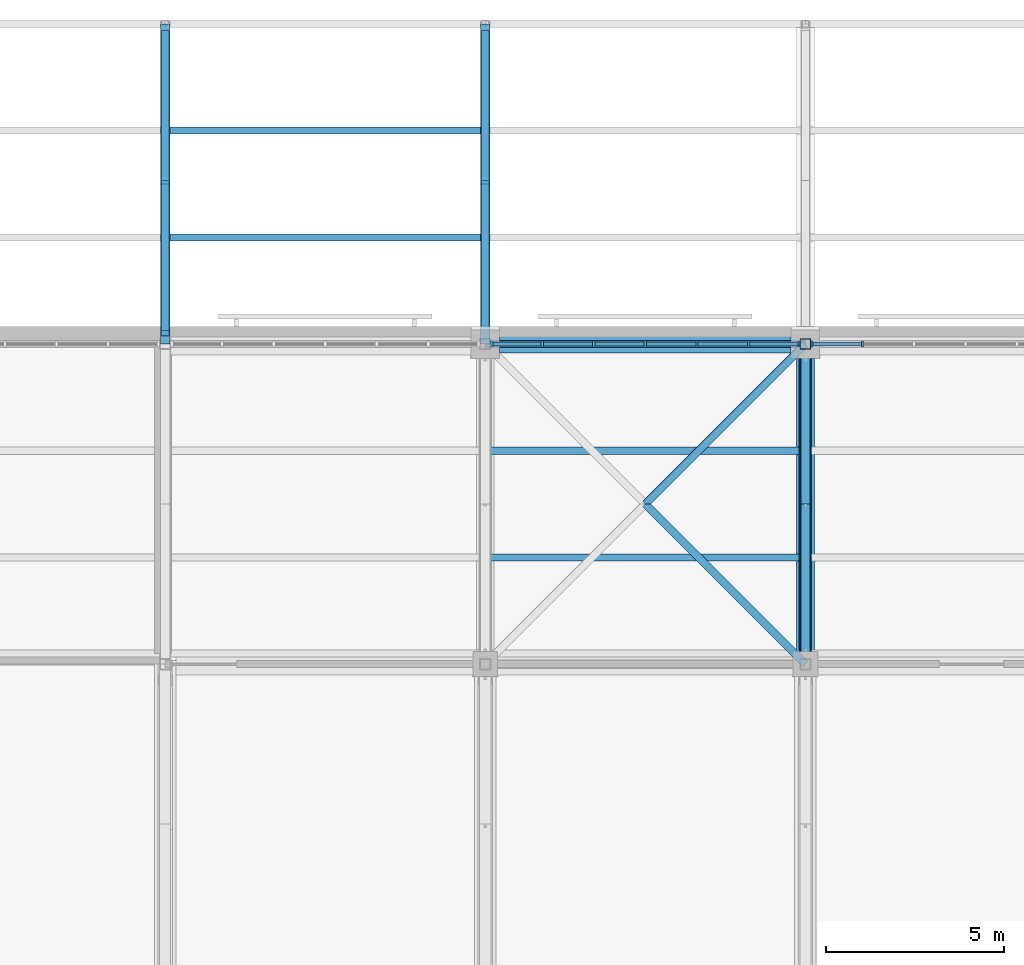
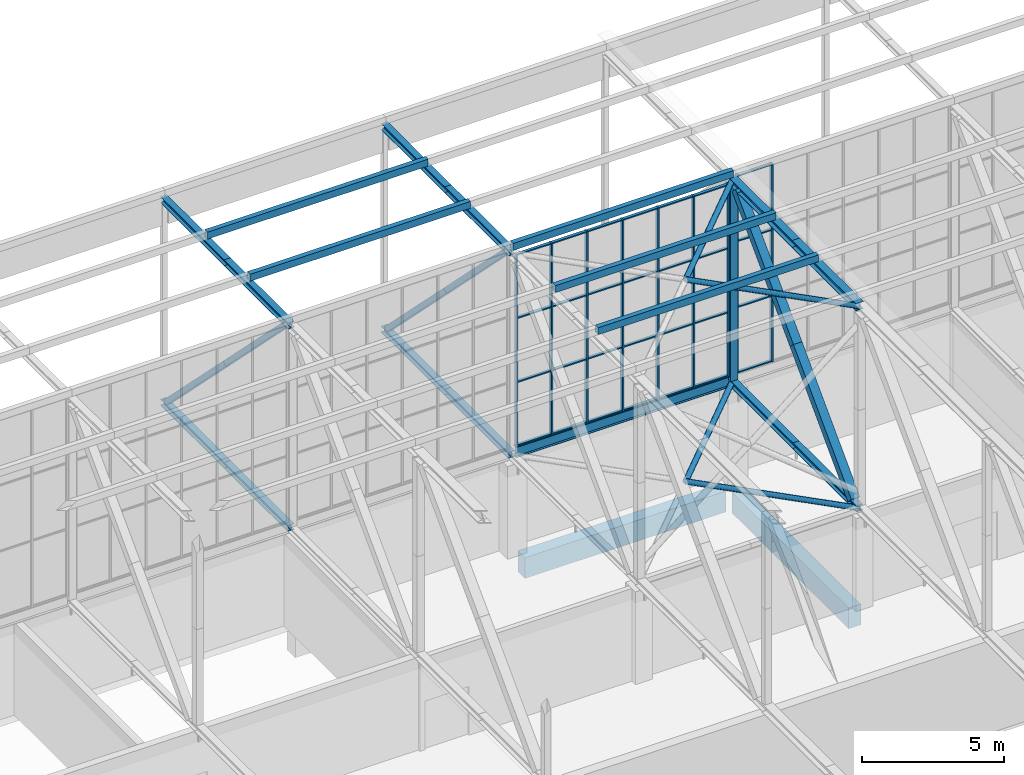
# One storey, part 123 of 646: 66 members, 3 beams, 2 elements without a shape of their own.
"""IFC4 building model written with IfcOpenShell, lengths in metres."""

import ifcopenshell
import ifcopenshell.guid

model = None  # the IFC model being written
_history = None  # IfcOwnerHistory: only IFC2X3 demands one
_inside = {}  # id of a spatial element -> (the spatial element, [elements in it])
_under = {}  # id of a project, library or spatial element -> (it, [spatial elements below it])
_declared = {}  # id of a project -> (the project, [libraries it declares])
_typed = {}  # id of a type object -> (the type object, [elements of that type])
_made_of = {}  # id of a material, layer set ... -> (it, [elements and type objects made of it])


def new_model(schema):
    """Start an empty IFC model of exactly this schema.

    Asked for "IFC4X3", IfcOpenShell would pick the latest addendum, in which some entities
    have other attributes; the version numbers below select the first issue.
    IFC2X3 requires an IfcOwnerHistory on every rooted entity: one is made here for all.
    """
    global model, _history
    if schema == "IFC4X3":
        model = ifcopenshell.file(schema_version=(4, 3, 0, 0))
    else:
        model = ifcopenshell.file(schema=schema)
    _inside.clear()
    _under.clear()
    _declared.clear()
    _typed.clear()
    _made_of.clear()
    _history = None
    if model.schema == "IFC2X3":
        org = make("IfcOrganization", Name="unknown")
        user = make(
            "IfcPersonAndOrganization",
            ThePerson=make("IfcPerson", FamilyName="unknown"),
            TheOrganization=org,
        )
        app = make(
            "IfcApplication",
            ApplicationDeveloper=org,
            Version="unknown",
            ApplicationFullName="unknown",
            ApplicationIdentifier="unknown",
        )
        _history = make(
            "IfcOwnerHistory",
            OwningUser=user,
            OwningApplication=app,
            ChangeAction="ADDED",
            CreationDate=0,
        )
    return model


def make(cls, **values):
    """One entity of the class cls with the attributes given. An attribute that is None is left unset."""
    return model.create_entity(
        cls, **{name: value for name, value in values.items() if value is not None}
    )


def rooted(cls, **values):
    """An entity with a GlobalId (a new one), such as an element, a storey or a relation."""
    return make(cls, GlobalId=ifcopenshell.guid.new(), OwnerHistory=_history, **values)


def si_unit(unit_type, name, prefix=None):
    """IfcSIUnit, for example si_unit("LENGTHUNIT", "METRE", prefix="MILLI")."""
    return make("IfcSIUnit", UnitType=unit_type, Prefix=prefix, Name=name)


def assignment(units):
    """IfcUnitAssignment: the units of a project."""
    return None if units is None else make("IfcUnitAssignment", Units=units)


def point(xyz):
    """IfcCartesianPoint."""
    return None if xyz is None else make("IfcCartesianPoint", Coordinates=xyz)


def direction(xyz):
    """IfcDirection."""
    return None if xyz is None else make("IfcDirection", DirectionRatios=xyz)


def frame(location, z_axis=None, x_axis=None):
    """IfcAxis2Placement3D, a coordinate frame: its origin and axes. An axis left out is left unset."""
    return make(
        "IfcAxis2Placement3D",
        Location=point(location),
        Axis=direction(z_axis),
        RefDirection=direction(x_axis),
    )


def frame_2d(location, x_axis=None):
    """IfcAxis2Placement2D, a coordinate frame in the plane: its origin and x axis."""
    return make(
        "IfcAxis2Placement2D", Location=point(location), RefDirection=direction(x_axis)
    )


def origin():
    """The frame at (0, 0, 0) with its axes left unset."""
    return frame((0.0, 0.0, 0.0))


def origin_2d():
    """The frame at (0, 0) in the plane with its x axis left unset."""
    return frame_2d((0.0, 0.0))


def place(relative_to, where):
    """IfcLocalPlacement: puts the frame where relative to a parent placement (None: the world)."""
    return make(
        "IfcLocalPlacement", PlacementRelTo=relative_to, RelativePlacement=where
    )


def context(
    kind, dimensions, precision=None, world=None, true_north=None, identifier=None
):
    """IfcGeometricRepresentationContext, for example the 3D "Model" context."""
    return make(
        "IfcGeometricRepresentationContext",
        ContextIdentifier=identifier,
        ContextType=kind,
        CoordinateSpaceDimension=dimensions,
        Precision=precision,
        WorldCoordinateSystem=world,
        TrueNorth=true_north,
    )


def subcontext(parent, identifier, kind, view, scale=None):
    """IfcGeometricRepresentationSubContext, for example "Body" below "Model"."""
    return make(
        "IfcGeometricRepresentationSubContext",
        ContextIdentifier=identifier,
        ContextType=kind,
        ParentContext=parent,
        TargetScale=scale,
        TargetView=view,
    )


def project(units=None, contexts=None):
    """IfcProject with its units and contexts."""
    return rooted(
        "IfcProject",
        Name="project",
        RepresentationContexts=contexts,
        UnitsInContext=assignment(units),
    )


def spatial(cls, under=None, at=None, **own):
    """A site, building, storey or space (cls), placed at a placement, below another one or the project."""
    s = rooted(cls, ObjectPlacement=at, **own)
    if under is not None:
        _under.setdefault(under.id(), (under, []))[1].append(s)
    return s


def profile(cls, at=None, kind="AREA", **sizes):
    """A parametric profile (cls). Its sizes go by their IFC names, for example OverallWidth=200.0."""
    return make(cls, ProfileType=kind, Position=at, **sizes)


def rectangle(**sizes):
    """IfcRectangleProfileDef."""
    return profile("IfcRectangleProfileDef", **sizes)


def hollow_rectangle(**sizes):
    """IfcRectangleHollowProfileDef."""
    return profile("IfcRectangleHollowProfileDef", **sizes)


def hollow_circle(**sizes):
    """IfcCircleHollowProfileDef."""
    return profile("IfcCircleHollowProfileDef", **sizes)


def i_section(**sizes):
    """IfcIShapeProfileDef."""
    return profile("IfcIShapeProfileDef", **sizes)


def extrude(swept, where, along, depth):
    """IfcExtrudedAreaSolid: the profile swept, set in the frame where, extruded along a direction by depth."""
    return make(
        "IfcExtrudedAreaSolid",
        SweptArea=swept,
        Position=where,
        ExtrudedDirection=direction(along),
        Depth=depth,
    )


def shape(context_of_items, identifier, shape_type, items):
    """IfcShapeRepresentation: the items that make up one representation, for example the "Body"."""
    return make(
        "IfcShapeRepresentation",
        ContextOfItems=context_of_items,
        RepresentationIdentifier=identifier,
        RepresentationType=shape_type,
        Items=items,
    )


def material(Name=None, Category=None):
    """IfcMaterial."""
    return make("IfcMaterial", Name=Name, Category=Category)


def material_profile(
    of_material, cross_section, Name=None, Category=None, Priority=None
):
    """IfcMaterialProfile: a cross section and its material."""
    return make(
        "IfcMaterialProfile",
        Name=Name,
        Material=of_material,
        Profile=cross_section,
        Priority=Priority,
        Category=Category,
    )


def profile_set(profiles, Name=None, composite=None):
    """IfcMaterialProfileSet."""
    return make(
        "IfcMaterialProfileSet",
        Name=Name,
        MaterialProfiles=profiles,
        CompositeProfile=composite,
    )


def made_of(thing, what):
    """Note that an element or type object is made of a material, layer set ...; save() writes the relation."""
    if what is not None:
        _made_of.setdefault(what.id(), (what, []))[1].append(thing)
    return thing


def type_object(cls, material=None, **own):
    """A type object (cls), such as IfcWallType, which elements share."""
    return made_of(rooted(cls, **own), material)


def element(
    cls,
    number,
    at=None,
    inside=None,
    cuts=None,
    type_object=None,
    material=None,
    context=None,
    identifier="Body",
    shape_type=None,
    held_by="IfcProductDefinitionShape",
    body=None,
    shapes=None,
    **own,
):
    """One element of the class cls, such as IfcWall. Its Tag is "e" and its number.

    at: its placement. inside: the storey or other place that contains it. cuts: it is an
    opening in that element (IfcRelVoidsElement). A single representation is given by context,
    identifier, shape_type and body (its items); several are given by shapes. held_by: the class
    of the entity that holds the representations. save() writes the other relations.
    """
    e = rooted(cls, Tag="e%d" % number, ObjectPlacement=at, **own)
    if body is not None:
        shapes = [shape(context, identifier, shape_type, body)]
    if shapes is not None:
        e.Representation = make(held_by, Representations=shapes)
    if inside is not None:
        _inside.setdefault(inside.id(), (inside, []))[1].append(e)
    if cuts is not None:
        rooted(
            "IfcRelVoidsElement", RelatingBuildingElement=cuts, RelatedOpeningElement=e
        )
    if type_object is not None:
        _typed.setdefault(type_object.id(), (type_object, []))[1].append(e)
    return made_of(e, material)


def aggregate(whole, parts):
    """IfcRelAggregates: a whole, such as a stair, and the parts it consists of."""
    return rooted("IfcRelAggregates", RelatingObject=whole, RelatedObjects=parts)


def save(model, path):
    """Write the relations noted so far, then the file.

    IfcRelAggregates (storeys below a building ...), IfcRelContainedInSpatialStructure (elements
    in a storey), IfcRelDefinesByType, IfcRelAssociatesMaterial and IfcRelDeclares: one each for
    every whole, place, type object, material and project.
    """
    for whole, parts in _under.values():
        aggregate(whole, parts)
    for where, things in _inside.values():
        rooted(
            "IfcRelContainedInSpatialStructure",
            RelatedElements=things,
            RelatingStructure=where,
        )
    for kind, things in _typed.values():
        rooted("IfcRelDefinesByType", RelatedObjects=things, RelatingType=kind)
    for what, things in _made_of.values():
        rooted("IfcRelAssociatesMaterial", RelatedObjects=things, RelatingMaterial=what)
    for by, libraries in _declared.values():
        rooted("IfcRelDeclares", RelatingContext=by, RelatedDefinitions=libraries)
    model.write(path)


model = new_model("IFC4")

# Units and contexts
model_context = context("Model", 3, precision=1e-05, world=origin(), true_north=direction((0.0, 1.0)))
body_context = subcontext(model_context, "Body", "Model", "MODEL_VIEW")
ifc_project = project(units=[si_unit("LENGTHUNIT", "METRE"), si_unit("AREAUNIT", "SQUARE_METRE"), si_unit("VOLUMEUNIT", "CUBIC_METRE"), si_unit("PLANEANGLEUNIT", "RADIAN"), si_unit("MASSUNIT", "GRAM", prefix="KILO")], contexts=[model_context])

# Site, building, storey
site_placement = place(None, origin())
site = spatial("IfcSite", under=ifc_project, at=site_placement, CompositionType="ELEMENT")
building_placement = place(site_placement, origin())
building = spatial("IfcBuilding", under=site, at=building_placement, Name="Silverbay Arena", CompositionType="ELEMENT")
storey_placement = place(building_placement, frame((0.0, 0.0, 33.5)))
storey = spatial("IfcBuildingStorey", under=building, at=storey_placement, Name="L05", CompositionType="ELEMENT", Elevation=33.5)

# Members
ifc_material_1 = material(Name="Steel S355", Category="steel")
ifc_material_profile_1 = material_profile(ifc_material_1, i_section(OverallWidth=0.2587890625, OverallDepth=0.2666015625, WebThickness=0.0126953125, FlangeThickness=0.0205078125, at=origin_2d()), Name="UC 254x254x107")
ifc_profile_set_1 = profile_set([ifc_material_profile_1], Name="Steel S355")
member_type_1 = type_object("IfcMemberType", Name="Main-span bottom chord UC 254x254x107", PredefinedType="CHORD", material=ifc_profile_set_1)
for number, where, z_axis, x_axis, name in (
    (1, (117.0, 144.0, 4.13330078125), (0.0, 1.0, 0.0), (-1.0, 0.0, 0.0), "ROOF TRUSS 14 bottom chord 16a"),
    (2, (117.0, 148.5, 4.13330078125), (0.0, 1.0, 0.0), (-1.0, 0.0, 0.0), "ROOF TRUSS 14 bottom chord 16b"),
    (3, (126.0, 144.0, 4.13330078125), (0.0, 1.0, 0.0), (-1.0, 0.0, 0.0), "ROOF TRUSS 15 bottom chord 16a"),
    (4, (126.0, 148.5, 4.13330078125), (0.0, 1.0, 0.0), (-1.0, 0.0, 0.0), "ROOF TRUSS 15 bottom chord 16b"),
    (5, (135.0, 135.0, 4.13330078125), (0.0, 1.0, 0.0), (-1.0, 0.0, 0.0), "ROOF TRUSS 16 bottom chord 15a"),
    (6, (135.0, 139.5, 4.13330078125), (0.0, 1.0, 0.0), (-1.0, 0.0, 0.0), "ROOF TRUSS 16 bottom chord 15b"),
):
    element("IfcMember", number, at=place(storey_placement, frame(where, z_axis=z_axis, x_axis=x_axis)), inside=storey, type_object=member_type_1, Name=name, PredefinedType="CHORD", context=body_context, shape_type="SweptSolid", body=[
        extrude(i_section(OverallWidth=0.2587890625, OverallDepth=0.2666015625, WebThickness=0.0126953125, FlangeThickness=0.0205078125, at=origin_2d()), origin(), (0.0, 0.0, 1.0), 4.5),
    ])
ifc_material_2 = material(Name="Steel S355", Category="steel")
ifc_material_profile_2 = material_profile(ifc_material_2, i_section(OverallWidth=0.2587890625, OverallDepth=0.2666015625, WebThickness=0.0126953125, FlangeThickness=0.0205078125, at=origin_2d()), Name="UC 254x254x107")
ifc_profile_set_2 = profile_set([ifc_material_profile_2], Name="Steel S355")
member_type_2 = type_object("IfcMemberType", Name="Main-span top chord UC 254x254x107", PredefinedType="CHORD", material=ifc_profile_set_2)
for number, where, z_axis, x_axis, name in (
    (7, (117.0, 144.0, 12.86669921875), (0.0, 1.0, 0.0), (-1.0, 0.0, 0.0), "ROOF TRUSS 14 top chord 16a"),
    (8, (117.0, 148.5, 12.86669921875), (0.0, 1.0, 0.0), (-1.0, 0.0, 0.0), "ROOF TRUSS 14 top chord 16b"),
    (9, (126.0, 144.0, 12.86669921875), (0.0, 1.0, 0.0), (-1.0, 0.0, 0.0), "ROOF TRUSS 15 top chord 16a"),
    (10, (126.0, 148.5, 12.86669921875), (0.0, 1.0, 0.0), (-1.0, 0.0, 0.0), "ROOF TRUSS 15 top chord 16b"),
):
    element("IfcMember", number, at=place(storey_placement, frame(where, z_axis=z_axis, x_axis=x_axis)), inside=storey, type_object=member_type_2, Name=name, PredefinedType="CHORD", context=body_context, shape_type="SweptSolid", body=[
        extrude(i_section(OverallWidth=0.2587890625, OverallDepth=0.2666015625, WebThickness=0.0126953125, FlangeThickness=0.0205078125, at=origin_2d()), origin(), (0.0, 0.0, 1.0), 4.5),
    ])
ifc_material_3 = material(Name="Steel S355", Category="steel")
ifc_material_profile_3 = material_profile(ifc_material_3, i_section(OverallWidth=0.307373046875, OverallDepth=0.314453125, WebThickness=0.011962890625, FlangeThickness=0.018798828125, at=origin_2d()), Name="UC 305x305x118")
ifc_profile_set_3 = profile_set([ifc_material_profile_3], Name="Steel S355")
member_type_3 = type_object("IfcMemberType", Name="Main-span top chord UC 305x305x118", PredefinedType="CHORD", material=ifc_profile_set_3)
for number, where, z_axis, x_axis, name in (
    (11, (135.0, 135.0, 12.8427734375), (0.0, 1.0, 0.0), (-1.0, 0.0, 0.0), "ROOF TRUSS 16 top chord 15a"),
    (12, (135.0, 139.5, 12.8427734375), (0.0, 1.0, 0.0), (-1.0, 0.0, 0.0), "ROOF TRUSS 16 top chord 15b"),
):
    element("IfcMember", number, at=place(storey_placement, frame(where, z_axis=z_axis, x_axis=x_axis)), inside=storey, type_object=member_type_3, Name=name, PredefinedType="CHORD", context=body_context, shape_type="SweptSolid", body=[
        extrude(i_section(OverallWidth=0.307373046875, OverallDepth=0.314453125, WebThickness=0.011962890625, FlangeThickness=0.018798828125, at=origin_2d()), origin(), (0.0, 0.0, 1.0), 4.5),
    ])
ifc_material_4 = material(Name="Steel S355", Category="steel")
ifc_material_profile_4 = material_profile(ifc_material_4, hollow_rectangle(XDim=0.219970703125, YDim=0.219970703125, WallThickness=0.008056640625, at=origin_2d()), Name="SHS 220x220x8")
ifc_profile_set_4 = profile_set([ifc_material_profile_4], Name="Steel S355")
member_type_4 = type_object("IfcMemberType", Name="Main-span truss diagonal SHS 220x220x8", PredefinedType="BRACE", material=ifc_profile_set_4)
member_1_placement = place(storey_placement, frame((117.0, 144.310546875, 12.7333984375), z_axis=(0.0, 0.70551102507, -0.708698944196), x_axis=(-1.0, 0.0, 0.0)))
element("IfcMember", 13, at=member_1_placement, inside=storey, type_object=member_type_4, Name="ROOF TRUSS 14 diagonal 16a", PredefinedType="BRACE", context=body_context, shape_type="SweptSolid", body=[
    extrude(hollow_rectangle(XDim=0.219970703125, YDim=0.219970703125, WallThickness=0.008056640625, at=origin_2d()), origin(), (0.0, 0.0, 1.0), 5.973388671875),
])
member_2_placement = place(storey_placement, frame((117.0, 148.52490234375, 8.5), z_axis=(0.0, 0.705531551692, -0.708678509317), x_axis=(-1.0, 0.0, 0.0)))
element("IfcMember", 14, at=member_2_placement, inside=storey, type_object=member_type_4, Name="ROOF TRUSS 14 diagonal 16b", PredefinedType="BRACE", context=body_context, shape_type="SweptSolid", body=[
    extrude(hollow_rectangle(XDim=0.219970703125, YDim=0.219970703125, WallThickness=0.008056640625, at=origin_2d()), origin(), (0.0, 0.0, 1.0), 5.9736328125),
])
member_3_placement = place(storey_placement, frame((126.0, 144.310546875, 12.7333984375), z_axis=(0.0, 0.70551102507, -0.708698944196), x_axis=(-1.0, 0.0, 0.0)))
element("IfcMember", 15, at=member_3_placement, inside=storey, type_object=member_type_4, Name="ROOF TRUSS 15 diagonal 16a", PredefinedType="BRACE", context=body_context, shape_type="SweptSolid", body=[
    extrude(hollow_rectangle(XDim=0.219970703125, YDim=0.219970703125, WallThickness=0.008056640625, at=origin_2d()), origin(), (0.0, 0.0, 1.0), 5.973388671875),
])
member_4_placement = place(storey_placement, frame((126.0, 148.52490234375, 8.5), z_axis=(0.0, 0.705531551692, -0.708678509317), x_axis=(-1.0, 0.0, 0.0)))
element("IfcMember", 16, at=member_4_placement, inside=storey, type_object=member_type_4, Name="ROOF TRUSS 15 diagonal 16b", PredefinedType="BRACE", context=body_context, shape_type="SweptSolid", body=[
    extrude(hollow_rectangle(XDim=0.219970703125, YDim=0.219970703125, WallThickness=0.008056640625, at=origin_2d()), origin(), (0.0, 0.0, 1.0), 5.9736328125),
])
ifc_material_5 = material(Name="Steel S355", Category="steel")
ifc_material_profile_5 = material_profile(ifc_material_5, hollow_rectangle(XDim=0.35009765625, YDim=0.35009765625, WallThickness=0.01611328125, at=origin_2d()), Name="SHS 350x350x16")
ifc_profile_set_5 = profile_set([ifc_material_profile_5], Name="Steel S355")
member_type_5 = type_object("IfcMemberType", Name="Main-span truss diagonal SHS 350x350x16", PredefinedType="BRACE", material=ifc_profile_set_5)
for number, where, z_axis, x_axis, name in (
    (17, (135.0, 143.59375, 12.685546875), (0.0, -0.697184071327, -0.716892161129), (1.0, 0.0, 0.0), "ROOF TRUSS 16 diagonal 15a"),
    (18, (135.0, 139.5, 8.47607421875), (0.0, -0.697184071327, -0.716892161129), (1.0, 0.0, 0.0), "ROOF TRUSS 16 diagonal 15b"),
):
    element("IfcMember", number, at=place(storey_placement, frame(where, z_axis=z_axis, x_axis=x_axis)), inside=storey, type_object=member_type_5, Name=name, PredefinedType="BRACE", context=body_context, shape_type="SweptSolid", body=[
        extrude(hollow_rectangle(XDim=0.35009765625, YDim=0.35009765625, WallThickness=0.01611328125, at=origin_2d()), origin(), (0.0, 0.0, 1.0), 5.871826171875),
    ])
ifc_material_6 = material(Name="Steel S355", Category="steel")
ifc_material_profile_6 = material_profile(ifc_material_6, hollow_rectangle(XDim=0.300048828125, YDim=0.300048828125, WallThickness=0.012451171875, at=origin_2d()), Name="SHS 300x300x12.5")
ifc_profile_set_6 = profile_set([ifc_material_profile_6], Name="Steel S355")
member_type_6 = type_object("IfcMemberType", Name="Main-span truss vertical SHS 300x300x12.5", PredefinedType="STRUT", material=ifc_profile_set_6)
for number, where, z_axis, x_axis, name in (
    (19, (135.0, 144.0, 4.2666015625), (0.0, 0.0, 1.0), (1.0, 0.0, 0.0), "ROOF TRUSS 16 vertical 16a"),
    (20, (135.0, 144.0, 8.47607421875), (0.0, 0.0, 1.0), (1.0, 0.0, 0.0), "ROOF TRUSS 16 vertical 16b"),
):
    element("IfcMember", number, at=place(storey_placement, frame(where, z_axis=z_axis, x_axis=x_axis)), inside=storey, type_object=member_type_6, Name=name, PredefinedType="STRUT", context=body_context, shape_type="SweptSolid", body=[
        extrude(hollow_rectangle(XDim=0.300048828125, YDim=0.300048828125, WallThickness=0.012451171875, at=origin_2d()), origin(), (0.0, 0.0, 1.0), 4.20947265625),
    ])

# Curtain wall, members
ifc_material_7 = material(Name="Aluminium framed glazing", Category="aluminium")
curtain_wall_type_1 = type_object("IfcCurtainWallType", Name="Curtain wall clerestory 8693 x 8273", PredefinedType="NOTDEFINED", material=ifc_material_7)
curtain_wall_1_placement = place(storey_placement, origin())
curtain_wall_1 = element("IfcCurtainWall", 21, at=curtain_wall_1_placement, inside=storey, type_object=curtain_wall_type_1, Name="ROOF CLERESTORY CURTAIN WALL north bay 09", PredefinedType="NOTDEFINED")
ifc_material_8 = material(Name="Aluminium", Category="aluminium")
ifc_material_profile_7 = material_profile(ifc_material_8, rectangle(XDim=0.159912109375, YDim=0.06005859375, at=origin_2d()), Name="Mullion 60 x 160")
ifc_profile_set_7 = profile_set([ifc_material_profile_7], Name="Aluminium")
member_type_7 = type_object("IfcMemberType", Name="Mullion 60 x 160", PredefinedType="MULLION", material=ifc_profile_set_7)
member_5_placement = place(storey_placement, frame((126.18359375, 144.0, 4.4599609375), z_axis=(0.0, 0.0, 1.0), x_axis=(0.0, 1.0, 0.0)))
member_5 = element("IfcMember", 22, at=member_5_placement, type_object=member_type_7, Name="CW56 mullion 1", PredefinedType="MULLION", context=body_context, shape_type="SweptSolid", body=[
    extrude(rectangle(XDim=0.159912109375, YDim=0.06005859375, at=origin_2d()), origin(), (0.0, 0.0, 1.0), 8.273193359375),
])
member_6_placement = place(storey_placement, frame((127.6025390625, 144.0, 4.4599609375), z_axis=(0.0, 0.0, 1.0), x_axis=(0.0, 1.0, 0.0)))
member_6 = element("IfcMember", 23, at=member_6_placement, type_object=member_type_7, Name="CW56 mullion 2", PredefinedType="MULLION", context=body_context, shape_type="SweptSolid", body=[
    extrude(rectangle(XDim=0.159912109375, YDim=0.06005859375, at=origin_2d()), origin(), (0.0, 0.0, 1.0), 8.273193359375),
])
member_7_placement = place(storey_placement, frame((129.05126953125, 144.0, 4.4599609375), z_axis=(0.0, 0.0, 1.0), x_axis=(0.0, 1.0, 0.0)))
member_7 = element("IfcMember", 24, at=member_7_placement, type_object=member_type_7, Name="CW56 mullion 3", PredefinedType="MULLION", context=body_context, shape_type="SweptSolid", body=[
    extrude(rectangle(XDim=0.159912109375, YDim=0.06005859375, at=origin_2d()), origin(), (0.0, 0.0, 1.0), 8.273193359375),
])
member_8_placement = place(storey_placement, frame((130.5, 144.0, 4.4599609375), z_axis=(0.0, 0.0, 1.0), x_axis=(0.0, 1.0, 0.0)))
member_8 = element("IfcMember", 25, at=member_8_placement, type_object=member_type_7, Name="CW56 mullion 4", PredefinedType="MULLION", context=body_context, shape_type="SweptSolid", body=[
    extrude(rectangle(XDim=0.159912109375, YDim=0.06005859375, at=origin_2d()), origin(), (0.0, 0.0, 1.0), 8.273193359375),
])
member_9_placement = place(storey_placement, frame((131.94873046875, 144.0, 4.4599609375), z_axis=(0.0, 0.0, 1.0), x_axis=(0.0, 1.0, 0.0)))
member_9 = element("IfcMember", 26, at=member_9_placement, type_object=member_type_7, Name="CW56 mullion 5", PredefinedType="MULLION", context=body_context, shape_type="SweptSolid", body=[
    extrude(rectangle(XDim=0.159912109375, YDim=0.06005859375, at=origin_2d()), origin(), (0.0, 0.0, 1.0), 8.273193359375),
])
member_10_placement = place(storey_placement, frame((133.3974609375, 144.0, 4.4599609375), z_axis=(0.0, 0.0, 1.0), x_axis=(0.0, 1.0, 0.0)))
member_10 = element("IfcMember", 27, at=member_10_placement, type_object=member_type_7, Name="CW56 mullion 6", PredefinedType="MULLION", context=body_context, shape_type="SweptSolid", body=[
    extrude(rectangle(XDim=0.159912109375, YDim=0.06005859375, at=origin_2d()), origin(), (0.0, 0.0, 1.0), 8.273193359375),
])
member_11_placement = place(storey_placement, frame((134.81640625, 144.0, 4.4599609375), z_axis=(0.0, 0.0, 1.0), x_axis=(0.0, 1.0, 0.0)))
member_11 = element("IfcMember", 28, at=member_11_placement, type_object=member_type_7, Name="CW56 mullion 7", PredefinedType="MULLION", context=body_context, shape_type="SweptSolid", body=[
    extrude(rectangle(XDim=0.159912109375, YDim=0.06005859375, at=origin_2d()), origin(), (0.0, 0.0, 1.0), 8.273193359375),
])

ifc_material_9 = material(Name="Aluminium framed glazing", Category="aluminium")
curtain_wall_type_2 = type_object("IfcCurtainWallType", Name="Curtain wall clerestory 8693 x 8540", PredefinedType="NOTDEFINED", material=ifc_material_9)
curtain_wall_2_placement = place(storey_placement, origin())
curtain_wall_2 = element("IfcCurtainWall", 29, at=curtain_wall_2_placement, inside=storey, type_object=curtain_wall_type_2, Name="ROOF CLERESTORY CURTAIN WALL north bay 10", PredefinedType="NOTDEFINED")
member_12_placement = place(storey_placement, frame((135.18359375, 144.0, 4.4599609375), z_axis=(0.0, 0.0, 1.0), x_axis=(0.0, 1.0, 0.0)))
member_12 = element("IfcMember", 30, at=member_12_placement, type_object=member_type_7, Name="CW55 mullion 1", PredefinedType="MULLION", context=body_context, shape_type="SweptSolid", body=[
    extrude(rectangle(XDim=0.159912109375, YDim=0.06005859375, at=origin_2d()), origin(), (0.0, 0.0, 1.0), 8.5400390625),
])
member_13_placement = place(storey_placement, frame((136.6025390625, 144.0, 4.4599609375), z_axis=(0.0, 0.0, 1.0), x_axis=(0.0, 1.0, 0.0)))
member_13 = element("IfcMember", 31, at=member_13_placement, type_object=member_type_7, Name="CW55 mullion 2", PredefinedType="MULLION", context=body_context, shape_type="SweptSolid", body=[
    extrude(rectangle(XDim=0.159912109375, YDim=0.06005859375, at=origin_2d()), origin(), (0.0, 0.0, 1.0), 8.5400390625),
])

# Members
ifc_material_10 = material(Name="Steel S355", Category="steel")
ifc_material_profile_8 = material_profile(ifc_material_10, hollow_circle(Radius=0.109619140625, WallThickness=0.00634765625, at=origin_2d()), Name="CHS 219.1x6.3")
ifc_profile_set_8 = profile_set([ifc_material_profile_8], Name="Steel S355")
member_type_8 = type_object("IfcMemberType", Name="Plan bracing CHS 219.1x6.3", PredefinedType="BRACE", material=ifc_profile_set_8)
for number, where, z_axis, x_axis, name in (
    (32, (130.5, 139.5, 12.8427734375), (0.707106781187, 0.707106781187, 0.0), (-0.707106781187, 0.707106781187, 0.0), "ROOF BRACING top 15-16 panel 15 Ab"),
    (33, (130.5, 139.5, 12.8427734375), (0.707106781187, -0.707106781187, 0.0), (0.707106781187, 0.707106781187, 0.0), "ROOF BRACING top 15-16 panel 15 Bb"),
    (34, (130.5, 139.5, 4.13330078125), (0.707106781187, 0.707106781187, 0.0), (-0.707106781187, 0.707106781187, 0.0), "ROOF BRACING bottom 15-16 panel 15 Ab"),
    (35, (130.5, 139.5, 4.13330078125), (0.707106781187, -0.707106781187, 0.0), (0.707106781187, 0.707106781187, 0.0), "ROOF BRACING bottom 15-16 panel 15 Bb"),
):
    element("IfcMember", number, at=place(storey_placement, frame(where, z_axis=z_axis, x_axis=x_axis)), inside=storey, type_object=member_type_8, Name=name, PredefinedType="BRACE", context=body_context, shape_type="SweptSolid", body=[
        extrude(hollow_circle(Radius=0.109619140625, WallThickness=0.00634765625, at=origin_2d()), origin(), (0.0, 0.0, 1.0), 6.364013671875),
    ])
ifc_material_11 = material(Name="Steel S355", Category="steel")
ifc_material_profile_9 = material_profile(ifc_material_11, hollow_rectangle(XDim=0.199951171875, YDim=0.300048828125, WallThickness=0.00634765625, at=origin_2d()), Name="RHS 300x200x6.3")
ifc_profile_set_9 = profile_set([ifc_material_profile_9], Name="Steel S355")
member_type_9 = type_object("IfcMemberType", Name="Purlin RHS 300x200x6.3", PredefinedType="PURLIN", material=ifc_profile_set_9)
member_14_placement = place(storey_placement, frame((126.0, 138.0, 13.14990234375), z_axis=(1.0, 0.0, 0.0), x_axis=(0.0, 1.0, 0.0)))
element("IfcMember", 36, at=member_14_placement, inside=storey, type_object=member_type_9, Name="ROOF PURLIN 15-16 line 44", PredefinedType="PURLIN", context=body_context, shape_type="SweptSolid", body=[
    extrude(hollow_rectangle(XDim=0.199951171875, YDim=0.300048828125, WallThickness=0.00634765625, at=origin_2d()), origin(), (0.0, 0.0, 1.0), 9.0),
])
ifc_material_12 = material(Name="Steel S355", Category="steel")
ifc_material_profile_10 = material_profile(ifc_material_12, hollow_rectangle(XDim=0.199951171875, YDim=0.300048828125, WallThickness=0.008056640625, at=origin_2d()), Name="RHS 300x200x8")
ifc_profile_set_10 = profile_set([ifc_material_profile_10], Name="Steel S355")
member_type_10 = type_object("IfcMemberType", Name="Purlin RHS 300x200x8", PredefinedType="PURLIN", material=ifc_profile_set_10)
for number, where, z_axis, x_axis, name in (
    (37, (117.0, 147.0, 13.14990234375), (1.0, 0.0, 0.0), (0.0, 1.0, 0.0), "ROOF PURLIN 14-15 line 47"),
    (38, (117.0, 150.0, 13.14990234375), (1.0, 0.0, 0.0), (0.0, 1.0, 0.0), "ROOF PURLIN 14-15 line 48"),
    (39, (126.0, 141.0, 13.14990234375), (1.0, 0.0, 0.0), (0.0, 1.0, 0.0), "ROOF PURLIN 15-16 line 45"),
    (40, (126.0, 144.0, 13.14990234375), (1.0, 0.0, 0.0), (0.0, 1.0, 0.0), "ROOF PURLIN 15-16 line 46"),
):
    element("IfcMember", number, at=place(storey_placement, frame(where, z_axis=z_axis, x_axis=x_axis)), inside=storey, type_object=member_type_10, Name=name, PredefinedType="PURLIN", context=body_context, shape_type="SweptSolid", body=[
        extrude(hollow_rectangle(XDim=0.199951171875, YDim=0.300048828125, WallThickness=0.008056640625, at=origin_2d()), origin(), (0.0, 0.0, 1.0), 9.0),
    ])

# Beams
ifc_material_13 = material(Name="Concrete Grade C45", Category="concrete")
ifc_material_profile_11 = material_profile(ifc_material_13, rectangle(XDim=0.5, YDim=0.89990234375, at=origin_2d()), Name="RC 500x900")
ifc_profile_set_11 = profile_set([ifc_material_profile_11], Name="Concrete Grade C45")
beam_type_1 = type_object("IfcBeamType", Name="RC beam 500x900", PredefinedType="BEAM", material=ifc_profile_set_11)
beam_1_placement = place(storey_placement, frame((126.39990234375, 144.0, -0.75), z_axis=(1.0, 0.0, 0.0), x_axis=(0.0, 1.0, 0.0)))
element("IfcBeam", 41, at=beam_1_placement, inside=storey, type_object=beam_type_1, Name="Floor beam L05 068", PredefinedType="BEAM", context=body_context, shape_type="SweptSolid", body=[
    extrude(rectangle(XDim=0.5, YDim=0.89990234375, at=origin_2d()), origin(), (0.0, 0.0, 1.0), 8.2001953125),
])
beam_2_placement = place(storey_placement, frame((135.0, 135.35009765625, -0.75), z_axis=(0.0, 1.0, 0.0), x_axis=(-1.0, 0.0, 0.0)))
element("IfcBeam", 42, at=beam_2_placement, inside=storey, type_object=beam_type_1, Name="Floor beam L05 116", PredefinedType="BEAM", context=body_context, shape_type="SweptSolid", body=[
    extrude(rectangle(XDim=0.5, YDim=0.89990234375, at=origin_2d()), origin(), (0.0, 0.0, 1.0), 8.25),
])
ifc_material_14 = material(Name="Steel S355", Category="steel")
ifc_material_profile_12 = material_profile(ifc_material_14, i_section(OverallWidth=0.19140625, OverallDepth=0.4599609375, WebThickness=0.010009765625, FlangeThickness=0.01611328125, at=origin_2d()), Name="UB 457x191x82")
ifc_profile_set_12 = profile_set([ifc_material_profile_12], Name="Steel S355")
beam_type_2 = type_object("IfcBeamType", Name="Ring beam UB 457x191x82", PredefinedType="BEAM", material=ifc_profile_set_12)
beam_3_placement = place(storey_placement, frame((126.12939453125, 144.0, 4.22998046875), z_axis=(1.0, 0.0, 0.0), x_axis=(0.0, 1.0, 0.0)))
element("IfcBeam", 43, at=beam_3_placement, inside=storey, type_object=beam_type_2, Name="RING BEAM north facade 15-16", PredefinedType="BEAM", context=body_context, shape_type="SweptSolid", body=[
    extrude(i_section(OverallWidth=0.19140625, OverallDepth=0.4599609375, WebThickness=0.010009765625, FlangeThickness=0.01611328125, at=origin_2d()), origin(), (0.0, 0.0, 1.0), 8.7412109375),
])

# Member
ifc_material_15 = material(Name="Aluminium", Category="aluminium")
ifc_material_profile_13 = material_profile(ifc_material_15, rectangle(XDim=0.1201171875, YDim=0.050048828125, at=origin_2d()), Name="Transom 50 x 120")
ifc_profile_set_13 = profile_set([ifc_material_profile_13], Name="Aluminium")
member_type_11 = type_object("IfcMemberType", Name="Transom 50 x 120", PredefinedType="USERDEFINED", material=ifc_profile_set_13)
member_15_placement = place(storey_placement, frame((126.213623046875, 144.0, 4.485107421875), z_axis=(1.0, 0.0, 0.0), x_axis=(0.0, 1.0, 0.0)))
member_15 = element("IfcMember", 44, at=member_15_placement, type_object=member_type_11, Name="CW56 transom 1.1", ObjectType="TRANSOM", PredefinedType="USERDEFINED", context=body_context, shape_type="SweptSolid", body=[
    extrude(rectangle(XDim=0.1201171875, YDim=0.050048828125, at=origin_2d()), origin(), (0.0, 0.0, 1.0), 1.35888671875),
])

member_16_placement = place(storey_placement, frame((126.213623046875, 144.0, 7.2177734375), z_axis=(1.0, 0.0, 0.0), x_axis=(0.0, 1.0, 0.0)))
member_16 = element("IfcMember", 45, at=member_16_placement, type_object=member_type_11, Name="CW56 transom 1.2", ObjectType="TRANSOM", PredefinedType="USERDEFINED", context=body_context, shape_type="SweptSolid", body=[
    extrude(rectangle(XDim=0.1201171875, YDim=0.050048828125, at=origin_2d()), origin(), (0.0, 0.0, 1.0), 1.35888671875),
])

member_17_placement = place(storey_placement, frame((126.213623046875, 144.0, 9.9755859375), z_axis=(1.0, 0.0, 0.0), x_axis=(0.0, 1.0, 0.0)))
member_17 = element("IfcMember", 46, at=member_17_placement, type_object=member_type_11, Name="CW56 transom 1.3", ObjectType="TRANSOM", PredefinedType="USERDEFINED", context=body_context, shape_type="SweptSolid", body=[
    extrude(rectangle(XDim=0.1201171875, YDim=0.050048828125, at=origin_2d()), origin(), (0.0, 0.0, 1.0), 1.35888671875),
])

member_18_placement = place(storey_placement, frame((126.213623046875, 144.0, 12.708251953125), z_axis=(1.0, 0.0, 0.0), x_axis=(0.0, 1.0, 0.0)))
member_18 = element("IfcMember", 47, at=member_18_placement, type_object=member_type_11, Name="CW56 transom 1.4", ObjectType="TRANSOM", PredefinedType="USERDEFINED", context=body_context, shape_type="SweptSolid", body=[
    extrude(rectangle(XDim=0.1201171875, YDim=0.050048828125, at=origin_2d()), origin(), (0.0, 0.0, 1.0), 1.35888671875),
])

member_19_placement = place(storey_placement, frame((127.632568359375, 144.0, 4.485107421875), z_axis=(1.0, 0.0, 0.0), x_axis=(0.0, 1.0, 0.0)))
member_19 = element("IfcMember", 48, at=member_19_placement, type_object=member_type_11, Name="CW56 transom 2.1", ObjectType="TRANSOM", PredefinedType="USERDEFINED", context=body_context, shape_type="SweptSolid", body=[
    extrude(rectangle(XDim=0.1201171875, YDim=0.050048828125, at=origin_2d()), origin(), (0.0, 0.0, 1.0), 1.388671875),
])

member_20_placement = place(storey_placement, frame((127.632568359375, 144.0, 7.2177734375), z_axis=(1.0, 0.0, 0.0), x_axis=(0.0, 1.0, 0.0)))
member_20 = element("IfcMember", 49, at=member_20_placement, type_object=member_type_11, Name="CW56 transom 2.2", ObjectType="TRANSOM", PredefinedType="USERDEFINED", context=body_context, shape_type="SweptSolid", body=[
    extrude(rectangle(XDim=0.1201171875, YDim=0.050048828125, at=origin_2d()), origin(), (0.0, 0.0, 1.0), 1.388671875),
])

member_21_placement = place(storey_placement, frame((127.632568359375, 144.0, 9.9755859375), z_axis=(1.0, 0.0, 0.0), x_axis=(0.0, 1.0, 0.0)))
member_21 = element("IfcMember", 50, at=member_21_placement, type_object=member_type_11, Name="CW56 transom 2.3", ObjectType="TRANSOM", PredefinedType="USERDEFINED", context=body_context, shape_type="SweptSolid", body=[
    extrude(rectangle(XDim=0.1201171875, YDim=0.050048828125, at=origin_2d()), origin(), (0.0, 0.0, 1.0), 1.388671875),
])

member_22_placement = place(storey_placement, frame((127.632568359375, 144.0, 12.708251953125), z_axis=(1.0, 0.0, 0.0), x_axis=(0.0, 1.0, 0.0)))
member_22 = element("IfcMember", 51, at=member_22_placement, type_object=member_type_11, Name="CW56 transom 2.4", ObjectType="TRANSOM", PredefinedType="USERDEFINED", context=body_context, shape_type="SweptSolid", body=[
    extrude(rectangle(XDim=0.1201171875, YDim=0.050048828125, at=origin_2d()), origin(), (0.0, 0.0, 1.0), 1.388671875),
])

member_23_placement = place(storey_placement, frame((129.081298828125, 144.0, 4.485107421875), z_axis=(1.0, 0.0, 0.0), x_axis=(0.0, 1.0, 0.0)))
member_23 = element("IfcMember", 52, at=member_23_placement, type_object=member_type_11, Name="CW56 transom 3.1", ObjectType="TRANSOM", PredefinedType="USERDEFINED", context=body_context, shape_type="SweptSolid", body=[
    extrude(rectangle(XDim=0.1201171875, YDim=0.050048828125, at=origin_2d()), origin(), (0.0, 0.0, 1.0), 1.388671875),
])

member_24_placement = place(storey_placement, frame((129.081298828125, 144.0, 7.2177734375), z_axis=(1.0, 0.0, 0.0), x_axis=(0.0, 1.0, 0.0)))
member_24 = element("IfcMember", 53, at=member_24_placement, type_object=member_type_11, Name="CW56 transom 3.2", ObjectType="TRANSOM", PredefinedType="USERDEFINED", context=body_context, shape_type="SweptSolid", body=[
    extrude(rectangle(XDim=0.1201171875, YDim=0.050048828125, at=origin_2d()), origin(), (0.0, 0.0, 1.0), 1.388671875),
])

member_25_placement = place(storey_placement, frame((129.081298828125, 144.0, 9.9755859375), z_axis=(1.0, 0.0, 0.0), x_axis=(0.0, 1.0, 0.0)))
member_25 = element("IfcMember", 54, at=member_25_placement, type_object=member_type_11, Name="CW56 transom 3.3", ObjectType="TRANSOM", PredefinedType="USERDEFINED", context=body_context, shape_type="SweptSolid", body=[
    extrude(rectangle(XDim=0.1201171875, YDim=0.050048828125, at=origin_2d()), origin(), (0.0, 0.0, 1.0), 1.388671875),
])

member_26_placement = place(storey_placement, frame((129.081298828125, 144.0, 12.708251953125), z_axis=(1.0, 0.0, 0.0), x_axis=(0.0, 1.0, 0.0)))
member_26 = element("IfcMember", 55, at=member_26_placement, type_object=member_type_11, Name="CW56 transom 3.4", ObjectType="TRANSOM", PredefinedType="USERDEFINED", context=body_context, shape_type="SweptSolid", body=[
    extrude(rectangle(XDim=0.1201171875, YDim=0.050048828125, at=origin_2d()), origin(), (0.0, 0.0, 1.0), 1.388671875),
])

member_27_placement = place(storey_placement, frame((130.530029296875, 144.0, 4.485107421875), z_axis=(1.0, 0.0, 0.0), x_axis=(0.0, 1.0, 0.0)))
member_27 = element("IfcMember", 56, at=member_27_placement, type_object=member_type_11, Name="CW56 transom 4.1", ObjectType="TRANSOM", PredefinedType="USERDEFINED", context=body_context, shape_type="SweptSolid", body=[
    extrude(rectangle(XDim=0.1201171875, YDim=0.050048828125, at=origin_2d()), origin(), (0.0, 0.0, 1.0), 1.388671875),
])

member_28_placement = place(storey_placement, frame((130.530029296875, 144.0, 7.2177734375), z_axis=(1.0, 0.0, 0.0), x_axis=(0.0, 1.0, 0.0)))
member_28 = element("IfcMember", 57, at=member_28_placement, type_object=member_type_11, Name="CW56 transom 4.2", ObjectType="TRANSOM", PredefinedType="USERDEFINED", context=body_context, shape_type="SweptSolid", body=[
    extrude(rectangle(XDim=0.1201171875, YDim=0.050048828125, at=origin_2d()), origin(), (0.0, 0.0, 1.0), 1.388671875),
])

member_29_placement = place(storey_placement, frame((130.530029296875, 144.0, 9.9755859375), z_axis=(1.0, 0.0, 0.0), x_axis=(0.0, 1.0, 0.0)))
member_29 = element("IfcMember", 58, at=member_29_placement, type_object=member_type_11, Name="CW56 transom 4.3", ObjectType="TRANSOM", PredefinedType="USERDEFINED", context=body_context, shape_type="SweptSolid", body=[
    extrude(rectangle(XDim=0.1201171875, YDim=0.050048828125, at=origin_2d()), origin(), (0.0, 0.0, 1.0), 1.388671875),
])

member_30_placement = place(storey_placement, frame((130.530029296875, 144.0, 12.708251953125), z_axis=(1.0, 0.0, 0.0), x_axis=(0.0, 1.0, 0.0)))
member_30 = element("IfcMember", 59, at=member_30_placement, type_object=member_type_11, Name="CW56 transom 4.4", ObjectType="TRANSOM", PredefinedType="USERDEFINED", context=body_context, shape_type="SweptSolid", body=[
    extrude(rectangle(XDim=0.1201171875, YDim=0.050048828125, at=origin_2d()), origin(), (0.0, 0.0, 1.0), 1.388671875),
])

member_31_placement = place(storey_placement, frame((131.978759765625, 144.0, 4.485107421875), z_axis=(1.0, 0.0, 0.0), x_axis=(0.0, 1.0, 0.0)))
member_31 = element("IfcMember", 60, at=member_31_placement, type_object=member_type_11, Name="CW56 transom 5.1", ObjectType="TRANSOM", PredefinedType="USERDEFINED", context=body_context, shape_type="SweptSolid", body=[
    extrude(rectangle(XDim=0.1201171875, YDim=0.050048828125, at=origin_2d()), origin(), (0.0, 0.0, 1.0), 1.388671875),
])

member_32_placement = place(storey_placement, frame((131.978759765625, 144.0, 7.2177734375), z_axis=(1.0, 0.0, 0.0), x_axis=(0.0, 1.0, 0.0)))
member_32 = element("IfcMember", 61, at=member_32_placement, type_object=member_type_11, Name="CW56 transom 5.2", ObjectType="TRANSOM", PredefinedType="USERDEFINED", context=body_context, shape_type="SweptSolid", body=[
    extrude(rectangle(XDim=0.1201171875, YDim=0.050048828125, at=origin_2d()), origin(), (0.0, 0.0, 1.0), 1.388671875),
])

member_33_placement = place(storey_placement, frame((131.978759765625, 144.0, 9.9755859375), z_axis=(1.0, 0.0, 0.0), x_axis=(0.0, 1.0, 0.0)))
member_33 = element("IfcMember", 62, at=member_33_placement, type_object=member_type_11, Name="CW56 transom 5.3", ObjectType="TRANSOM", PredefinedType="USERDEFINED", context=body_context, shape_type="SweptSolid", body=[
    extrude(rectangle(XDim=0.1201171875, YDim=0.050048828125, at=origin_2d()), origin(), (0.0, 0.0, 1.0), 1.388671875),
])

member_34_placement = place(storey_placement, frame((131.978759765625, 144.0, 12.708251953125), z_axis=(1.0, 0.0, 0.0), x_axis=(0.0, 1.0, 0.0)))
member_34 = element("IfcMember", 63, at=member_34_placement, type_object=member_type_11, Name="CW56 transom 5.4", ObjectType="TRANSOM", PredefinedType="USERDEFINED", context=body_context, shape_type="SweptSolid", body=[
    extrude(rectangle(XDim=0.1201171875, YDim=0.050048828125, at=origin_2d()), origin(), (0.0, 0.0, 1.0), 1.388671875),
])

member_35_placement = place(storey_placement, frame((133.427490234375, 144.0, 4.485107421875), z_axis=(1.0, 0.0, 0.0), x_axis=(0.0, 1.0, 0.0)))
member_35 = element("IfcMember", 64, at=member_35_placement, type_object=member_type_11, Name="CW56 transom 6.1", ObjectType="TRANSOM", PredefinedType="USERDEFINED", context=body_context, shape_type="SweptSolid", body=[
    extrude(rectangle(XDim=0.1201171875, YDim=0.050048828125, at=origin_2d()), origin(), (0.0, 0.0, 1.0), 1.35888671875),
])

member_36_placement = place(storey_placement, frame((133.427490234375, 144.0, 7.2177734375), z_axis=(1.0, 0.0, 0.0), x_axis=(0.0, 1.0, 0.0)))
member_36 = element("IfcMember", 65, at=member_36_placement, type_object=member_type_11, Name="CW56 transom 6.2", ObjectType="TRANSOM", PredefinedType="USERDEFINED", context=body_context, shape_type="SweptSolid", body=[
    extrude(rectangle(XDim=0.1201171875, YDim=0.050048828125, at=origin_2d()), origin(), (0.0, 0.0, 1.0), 1.35888671875),
])

member_37_placement = place(storey_placement, frame((133.427490234375, 144.0, 9.9755859375), z_axis=(1.0, 0.0, 0.0), x_axis=(0.0, 1.0, 0.0)))
member_37 = element("IfcMember", 66, at=member_37_placement, type_object=member_type_11, Name="CW56 transom 6.3", ObjectType="TRANSOM", PredefinedType="USERDEFINED", context=body_context, shape_type="SweptSolid", body=[
    extrude(rectangle(XDim=0.1201171875, YDim=0.050048828125, at=origin_2d()), origin(), (0.0, 0.0, 1.0), 1.35888671875),
])

member_38_placement = place(storey_placement, frame((133.427490234375, 144.0, 12.708251953125), z_axis=(1.0, 0.0, 0.0), x_axis=(0.0, 1.0, 0.0)))
member_38 = element("IfcMember", 67, at=member_38_placement, type_object=member_type_11, Name="CW56 transom 6.4", ObjectType="TRANSOM", PredefinedType="USERDEFINED", context=body_context, shape_type="SweptSolid", body=[
    extrude(rectangle(XDim=0.1201171875, YDim=0.050048828125, at=origin_2d()), origin(), (0.0, 0.0, 1.0), 1.35888671875),
])

aggregate(curtain_wall_1, [member_5, member_6, member_7, member_8, member_9, member_10, member_11, member_15, member_16, member_17, member_18, member_19, member_20, member_21, member_22, member_23, member_24, member_25, member_26, member_27, member_28, member_29, member_30, member_31, member_32, member_33, member_34, member_35, member_36, member_37, member_38])

member_39_placement = place(storey_placement, frame((135.213623046875, 144.0, 4.485107421875), z_axis=(1.0, 0.0, 0.0), x_axis=(0.0, 1.0, 0.0)))
member_39 = element("IfcMember", 68, at=member_39_placement, type_object=member_type_11, Name="CW55 transom 1.1", ObjectType="TRANSOM", PredefinedType="USERDEFINED", context=body_context, shape_type="SweptSolid", body=[
    extrude(rectangle(XDim=0.1201171875, YDim=0.050048828125, at=origin_2d()), origin(), (0.0, 0.0, 1.0), 1.35888671875),
])

member_40_placement = place(storey_placement, frame((135.213623046875, 144.0, 7.306640625), z_axis=(1.0, 0.0, 0.0), x_axis=(0.0, 1.0, 0.0)))
member_40 = element("IfcMember", 69, at=member_40_placement, type_object=member_type_11, Name="CW55 transom 1.2", ObjectType="TRANSOM", PredefinedType="USERDEFINED", context=body_context, shape_type="SweptSolid", body=[
    extrude(rectangle(XDim=0.1201171875, YDim=0.050048828125, at=origin_2d()), origin(), (0.0, 0.0, 1.0), 1.35888671875),
])

member_41_placement = place(storey_placement, frame((135.213623046875, 144.0, 10.1533203125), z_axis=(1.0, 0.0, 0.0), x_axis=(0.0, 1.0, 0.0)))
member_41 = element("IfcMember", 70, at=member_41_placement, type_object=member_type_11, Name="CW55 transom 1.3", ObjectType="TRANSOM", PredefinedType="USERDEFINED", context=body_context, shape_type="SweptSolid", body=[
    extrude(rectangle(XDim=0.1201171875, YDim=0.050048828125, at=origin_2d()), origin(), (0.0, 0.0, 1.0), 1.35888671875),
])

member_42_placement = place(storey_placement, frame((135.213623046875, 144.0, 12.97509765625), z_axis=(1.0, 0.0, 0.0), x_axis=(0.0, 1.0, 0.0)))
member_42 = element("IfcMember", 71, at=member_42_placement, type_object=member_type_11, Name="CW55 transom 1.4", ObjectType="TRANSOM", PredefinedType="USERDEFINED", context=body_context, shape_type="SweptSolid", body=[
    extrude(rectangle(XDim=0.1201171875, YDim=0.050048828125, at=origin_2d()), origin(), (0.0, 0.0, 1.0), 1.35888671875),
])

aggregate(curtain_wall_2, [member_12, member_13, member_39, member_40, member_41, member_42])

save(model, "model.ifc")
